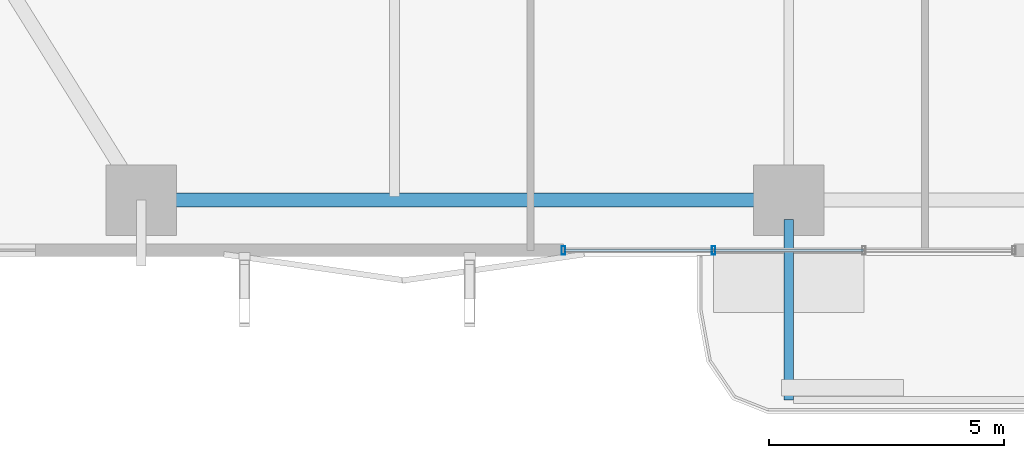
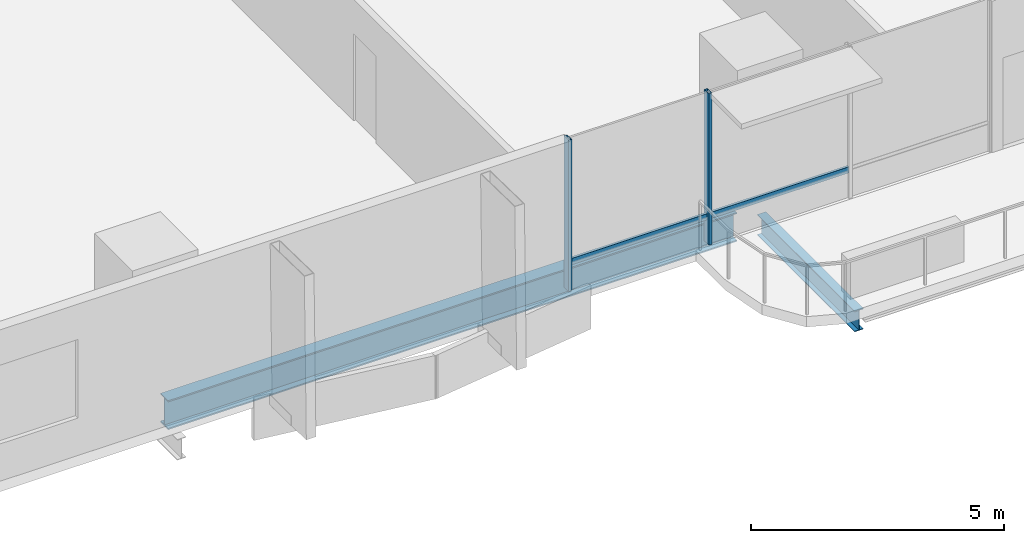
# One storey, part 2 of 24: 4 members, 2 beams, 1 element without a shape of its own.
"""IFC4 building model written with IfcOpenShell, lengths in metres."""

from ifc_helpers import new_model, si_unit, direction, frame, origin, origin_2d, place, context, subcontext, project, spatial, hollow_rectangle, i_section, extrude, material, layer, layer_set, material_profile, profile_set, type_object, element, aggregate, save


model = new_model("IFC4")

# Units and contexts
model_context = context("Model", 3, precision=1e-05, world=origin(), true_north=direction((0.0, 1.0)))
body_context = subcontext(model_context, "Body", "Model", "MODEL_VIEW")
ifc_project = project(units=[si_unit("LENGTHUNIT", "METRE"), si_unit("AREAUNIT", "SQUARE_METRE"), si_unit("VOLUMEUNIT", "CUBIC_METRE"), si_unit("PLANEANGLEUNIT", "RADIAN"), si_unit("MASSUNIT", "GRAM", prefix="KILO")], contexts=[model_context])

# Site, building, storey
site_placement = place(None, origin())
site = spatial("IfcSite", under=ifc_project, at=site_placement, CompositionType="ELEMENT")
building_placement = place(site_placement, origin())
building = spatial("IfcBuilding", under=site, at=building_placement, Name="Belovzor Exchange Tower", CompositionType="ELEMENT")
storey_placement = place(building_placement, frame((0.0, 0.0, 80.699951171875)))
storey = spatial("IfcBuildingStorey", under=building, at=storey_placement, Name="L19", CompositionType="ELEMENT", Elevation=80.699951171875)

# Beam
ifc_material_1 = material(Name="Steel S355", Category="steel")
ifc_material_profile_1 = material_profile(ifc_material_1, i_section(OverallWidth=0.199951171875, OverallDepth=0.5, WebThickness=0.01025390625, FlangeThickness=0.01611328125, at=origin_2d()))
ifc_profile_set_1 = profile_set([ifc_material_profile_1], Name="Steel S355")
beam_type_1 = type_object("IfcBeamType", Name="Planted Balcony Cantilever Beam IPE 500", PredefinedType="BEAM", material=ifc_profile_set_1)
beam_1_placement = place(storey_placement, frame((28.800048828125, 1.68798828125, -0.5), z_axis=(0.0, -1.0, 0.0), x_axis=(1.0, 0.0, 0.0)))
element("IfcBeam", 1, at=beam_1_placement, inside=storey, type_object=beam_type_1, Name="BC-500 Planted Balcony Cantilever Beam IPE 500", PredefinedType="BEAM", context=body_context, shape_type="SweptSolid", body=[
    extrude(i_section(OverallWidth=0.199951171875, OverallDepth=0.5, WebThickness=0.01025390625, FlangeThickness=0.01611328125, at=origin_2d()), origin(), (0.0, 0.0, 1.0), 3.85009765625),
])

# Curtain wall, members
ifc_material_2 = material(Name="Anodised Aluminium Framing", Category="aluminium")
ifc_layer = layer(ifc_material_2, 0.179931640625)
ifc_layer_set = layer_set([ifc_layer], Name="Anodised Aluminium Framing")
curtain_wall_type = type_object("IfcCurtainWallType", Name="Recessed Loggia Low-Iron Triple-Glazed Curtain Wall", PredefinedType="NOTDEFINED", material=ifc_layer_set)
curtain_wall_placement = place(storey_placement, origin())
curtain_wall = element("IfcCurtainWall", 2, at=curtain_wall_placement, inside=storey, type_object=curtain_wall_type, Name="CW3 Recessed Loggia Low-Iron Triple-Glazed Curtain Wall L19", PredefinedType="NOTDEFINED")
ifc_material_3 = material(Name="Steel S355", Category="steel")
ifc_material_profile_2 = material_profile(ifc_material_3, hollow_rectangle(XDim=0.074951171875, YDim=0.179931640625, WallThickness=0.0048828125, at=origin_2d()))
ifc_profile_set_2 = profile_set([ifc_material_profile_2], Name="Steel S355")
member_type_1 = type_object("IfcMemberType", Name="Thermally Broken Curtain Wall Mullion 180x75", PredefinedType="MULLION", material=ifc_profile_set_2)
member_1_placement = place(storey_placement, frame((27.199951171875, 1.030029296875, 0.0), z_axis=(0.0, 0.0, 1.0), x_axis=(-1.0, 0.0, 0.0)))
member_1 = element("IfcMember", 3, at=member_1_placement, type_object=member_type_1, Name="CW-M180 Curtain Wall Mullion 3", PredefinedType="MULLION", context=body_context, shape_type="SweptSolid", body=[
    extrude(hollow_rectangle(XDim=0.074951171875, YDim=0.179931640625, WallThickness=0.0048828125, at=origin_2d()), origin(), (0.0, 0.0, 1.0), 3.650146484375),
])
member_2_placement = place(storey_placement, frame((24.0, 1.030029296875, 0.0), z_axis=(0.0, 0.0, 1.0), x_axis=(-1.0, 0.0, 0.0)))
member_2 = element("IfcMember", 4, at=member_2_placement, type_object=member_type_1, Name="CW-M180 Curtain Wall Mullion 4", PredefinedType="MULLION", context=body_context, shape_type="SweptSolid", body=[
    extrude(hollow_rectangle(XDim=0.074951171875, YDim=0.179931640625, WallThickness=0.0048828125, at=origin_2d()), origin(), (0.0, 0.0, 1.0), 3.650146484375),
])
ifc_material_4 = material(Name="Steel S355", Category="steel")
ifc_material_profile_3 = material_profile(ifc_material_4, hollow_rectangle(XDim=0.06005859375, YDim=0.14990234375, WallThickness=0.00390625, at=origin_2d()))
ifc_profile_set_3 = profile_set([ifc_material_profile_3], Name="Steel S355")
member_type_2 = type_object("IfcMemberType", Name="Thermally Broken Curtain Wall Transom 150x60", PredefinedType="USERDEFINED", material=ifc_profile_set_3)
member_3_placement = place(storey_placement, frame((30.39208984375, 1.030029296875, 0.650146484375), z_axis=(-1.0, 0.0, 0.0), x_axis=(0.0, -1.0, 0.0)))
member_3 = element("IfcMember", 5, at=member_3_placement, type_object=member_type_2, Name="CW-T150 Curtain Wall Transom 2", ObjectType="TRANSOM", PredefinedType="USERDEFINED", context=body_context, shape_type="SweptSolid", body=[
    extrude(hollow_rectangle(XDim=0.06005859375, YDim=0.14990234375, WallThickness=0.00390625, at=origin_2d()), origin(), (0.0, 0.0, 1.0), 3.18408203125),
])
member_4_placement = place(storey_placement, frame((27.19189453125, 1.030029296875, 0.650146484375), z_axis=(-1.0, 0.0, 0.0), x_axis=(0.0, -1.0, 0.0)))
member_4 = element("IfcMember", 6, at=member_4_placement, type_object=member_type_2, Name="CW-T150 Curtain Wall Transom 3", ObjectType="TRANSOM", PredefinedType="USERDEFINED", context=body_context, shape_type="SweptSolid", body=[
    extrude(hollow_rectangle(XDim=0.06005859375, YDim=0.14990234375, WallThickness=0.00390625, at=origin_2d()), origin(), (0.0, 0.0, 1.0), 3.183837890625),
])
aggregate(curtain_wall, [member_1, member_2, member_3, member_4])

# Beam
ifc_material_5 = material(Name="Steel S355", Category="steel")
ifc_material_profile_4 = material_profile(ifc_material_5, i_section(OverallWidth=0.300048828125, OverallDepth=0.699951171875, WebThickness=0.01708984375, FlangeThickness=0.031982421875, at=origin_2d()))
ifc_profile_set_4 = profile_set([ifc_material_profile_4], Name="Steel S355")
beam_type_2 = type_object("IfcBeamType", Name="Zone 1 Primary Perimeter Girder HEB 700", PredefinedType="BEAM", material=ifc_profile_set_4)
beam_2_placement = place(storey_placement, frame((15.412109375, 2.10009765625, -0.599853515625), z_axis=(1.0, 0.0, 0.0), x_axis=(0.0, 1.0, 0.0)))
element("IfcBeam", 7, at=beam_2_placement, inside=storey, type_object=beam_type_2, Name="FG-Z1 Zone 1 Primary Perimeter Girder HEB 700", PredefinedType="BEAM", context=body_context, shape_type="SweptSolid", body=[
    extrude(i_section(OverallWidth=0.300048828125, OverallDepth=0.699951171875, WebThickness=0.01708984375, FlangeThickness=0.031982421875, at=origin_2d()), origin(), (0.0, 0.0, 1.0), 12.974853515625),
])

save(model, "model.ifc")
